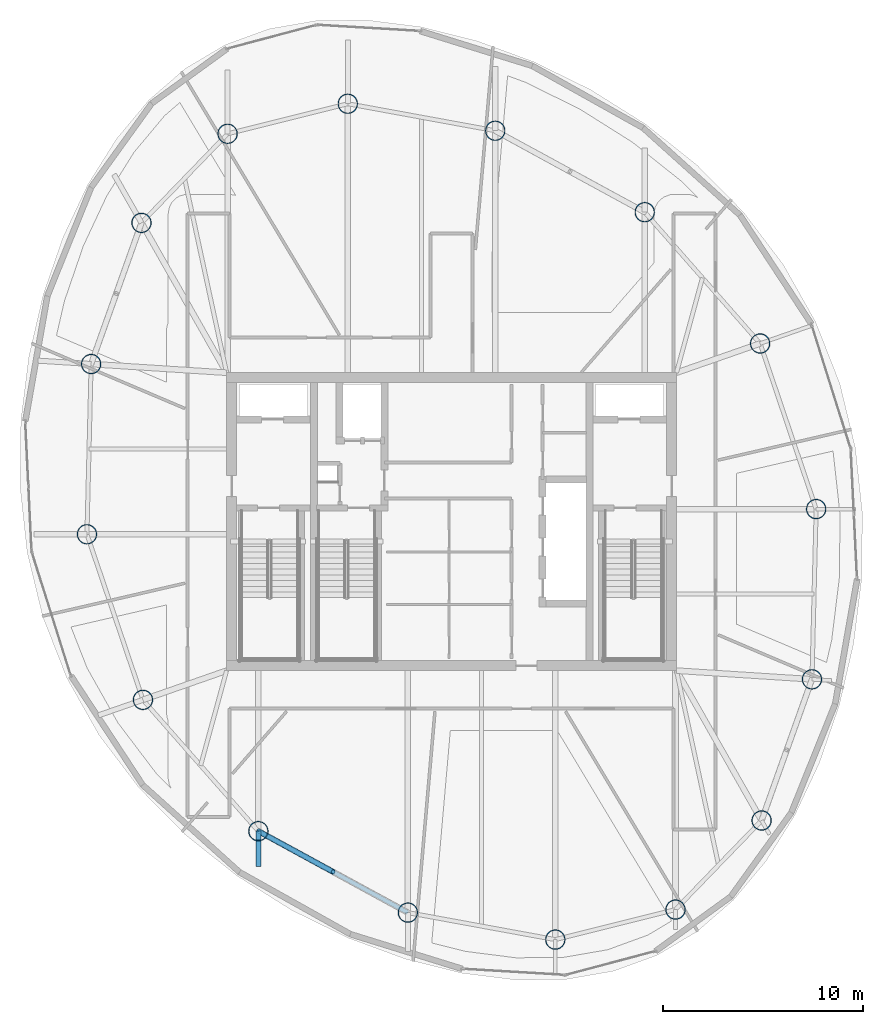
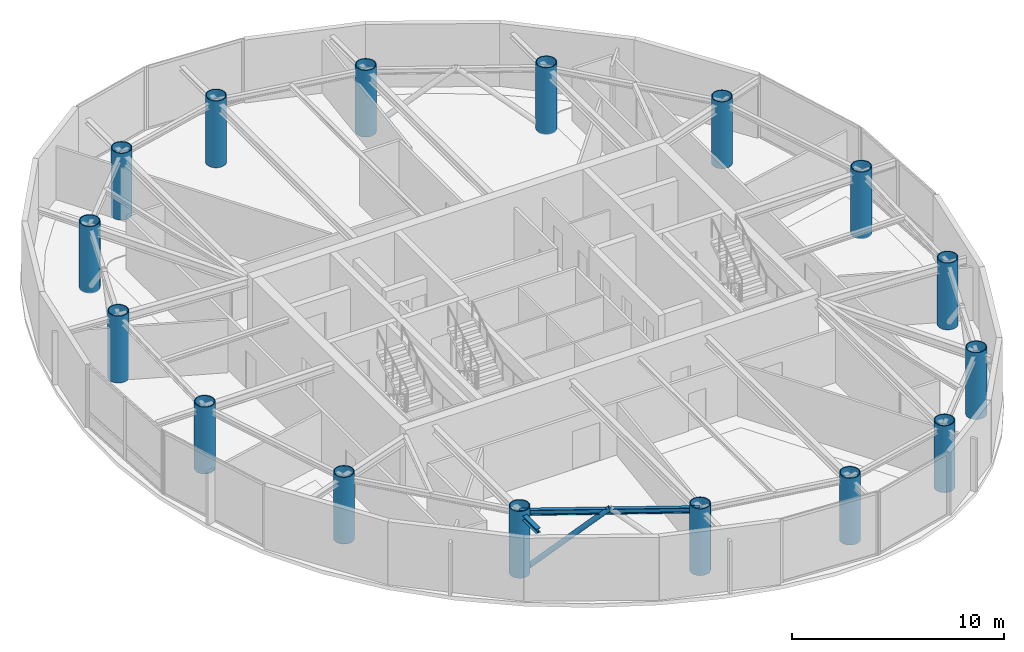
# One storey, part 1 of 19: 16 columns, 2 beams, 1 member.
"""IFC4 building model written with IfcOpenShell, lengths in metres."""

from ifc_helpers import new_model, si_unit, direction, frame, origin, origin_2d, place, context, subcontext, project, spatial, hollow_circle, i_section, extrude, material, material_profile, profile_set, type_object, element, save


model = new_model("IFC4")

# Units and contexts
model_context = context("Model", 3, precision=1e-05, world=origin(), true_north=direction((0.0, 1.0)))
body_context = subcontext(model_context, "Body", "Model", "MODEL_VIEW")
ifc_project = project(units=[si_unit("LENGTHUNIT", "METRE"), si_unit("AREAUNIT", "SQUARE_METRE"), si_unit("VOLUMEUNIT", "CUBIC_METRE"), si_unit("PLANEANGLEUNIT", "RADIAN"), si_unit("MASSUNIT", "GRAM", prefix="KILO")], contexts=[model_context])

# Site, building, storey
site_placement = place(None, origin())
site = spatial("IfcSite", under=ifc_project, at=site_placement, CompositionType="ELEMENT")
building_placement = place(site_placement, origin())
building = spatial("IfcBuilding", under=site, at=building_placement, Name="Bramvorn Convention Spire", CompositionType="ELEMENT")
storey_placement = place(building_placement, frame((0.0, 0.0, 292.10009765625)))
storey = spatial("IfcBuildingStorey", under=building, at=storey_placement, Name="L74", CompositionType="ELEMENT", Elevation=292.10009765625)

# Columns
ifc_material = material(Name="Steel CSA G40.21 Grade 350 (350W)", Category="steel")
ifc_material_profile_1 = material_profile(ifc_material, hollow_circle(Radius=0.5, WallThickness=0.044921875, at=origin_2d()))
ifc_profile_set_1 = profile_set([ifc_material_profile_1], Name="Steel CSA G40.21 Grade 350 (350W) - CFT1000X45")
column_type = type_object("IfcColumnType", Name="COL-CFT1000X45", PredefinedType="COLUMN", material=ifc_profile_set_1)
for number, where, z_axis, x_axis, name in (
    (1, (49.199951171875, 6.60107421875, 0.0), (0.0, 0.0, 1.0), (1.0, 0.0, 0.0), "L74 composite CFT mega-column MC01"),
    (2, (53.50634765625, 11.05615234375, 0.0), (0.0, 0.0, 1.0), (1.0, 0.0, 0.0), "L74 composite CFT mega-column MC02"),
    (3, (56.023681640625, 18.116455078125, 0.0), (0.0, 0.0, 1.0), (1.0, 0.0, 0.0), "L74 composite CFT mega-column MC03"),
    (4, (56.234619140625, 26.62939453125, 0.0), (0.0, 0.0, 1.0), (1.0, 0.0, 0.0), "L74 composite CFT mega-column MC04"),
    (5, (53.4326171875, 34.909912109375, 0.0), (0.0, 0.0, 1.0), (1.0, 0.0, 0.0), "L74 composite CFT mega-column MC05"),
    (6, (47.662353515625, 41.476806640625, 0.0), (0.0, 0.0, 1.0), (1.0, 0.0, 0.0), "L74 composite CFT mega-column MC06"),
    (7, (40.1845703125, 45.55078125, 0.0), (0.0, 0.0, 1.0), (1.0, 0.0, 0.0), "L74 composite CFT mega-column MC07"),
    (8, (32.8115234375, 46.90087890625, 0.0), (0.0, 0.0, 1.0), (1.0, 0.0, 0.0), "L74 composite CFT mega-column MC08"),
    (9, (26.800048828125, 45.39892578125, 0.0), (0.0, 0.0, 1.0), (1.0, 0.0, 0.0), "L74 composite CFT mega-column MC09"),
    (10, (22.49365234375, 40.94384765625, 0.0), (0.0, 0.0, 1.0), (1.0, 0.0, 0.0), "L74 composite CFT mega-column MC10"),
    (11, (19.976318359375, 33.883544921875, 0.0), (0.0, 0.0, 1.0), (1.0, 0.0, 0.0), "L74 composite CFT mega-column MC11"),
    (12, (19.765380859375, 25.37060546875, 0.0), (0.0, 0.0, 1.0), (1.0, 0.0, 0.0), "L74 composite CFT mega-column MC12"),
    (13, (22.5673828125, 17.090087890625, 0.0), (0.0, 0.0, 1.0), (1.0, 0.0, 0.0), "L74 composite CFT mega-column MC13"),
    (14, (28.337646484375, 10.523193359375, 0.0), (0.0, 0.0, 1.0), (1.0, 0.0, 0.0), "L74 composite CFT mega-column MC14"),
    (15, (35.8154296875, 6.44921875, 0.0), (0.0, 0.0, 1.0), (1.0, 0.0, 0.0), "L74 composite CFT mega-column MC15"),
    (16, (43.1884765625, 5.09912109375, 0.0), (0.0, 0.0, 1.0), (1.0, 0.0, 0.0), "L74 composite CFT mega-column MC16"),
):
    element("IfcColumn", number, at=place(storey_placement, frame(where, z_axis=z_axis, x_axis=x_axis)), inside=storey, type_object=column_type, Name=name, PredefinedType="COLUMN", context=body_context, shape_type="SweptSolid", body=[
        extrude(hollow_circle(Radius=0.5, WallThickness=0.044921875, at=origin_2d()), origin(), (0.0, 0.0, 1.0), 3.849853515625),
    ])

# Beams
ifc_material_profile_2 = material_profile(ifc_material, i_section(OverallWidth=0.25390625, OverallDepth=0.2529296875, WebThickness=0.008544921875, FlangeThickness=0.01416015625, FilletRadius=0.011962890625, at=origin_2d()))
ifc_profile_set_2 = profile_set([ifc_material_profile_2], Name="Steel CSA G40.21 Grade 350 (350W) - W250X73")
beam_type_1 = type_object("IfcBeamType", Name="BM-W250X73", PredefinedType="BEAM", material=ifc_profile_set_2)
beam_1_placement = place(storey_placement, frame((28.337646484375, 10.523193359375, 3.45849609375), z_axis=(0.0, -1.0, 0.0), x_axis=(1.0, 0.0, 0.0)))
element("IfcBeam", 17, at=beam_1_placement, inside=storey, type_object=beam_type_1, Name="L74 slab-edge cantilever tip beam MC14", PredefinedType="BEAM", context=body_context, shape_type="SweptSolid", body=[
    extrude(i_section(OverallWidth=0.25390625, OverallDepth=0.2529296875, WebThickness=0.008544921875, FlangeThickness=0.01416015625, FilletRadius=0.011962890625, at=origin_2d()), origin(), (0.0, 0.0, 1.0), 1.7685546875),
])
ifc_material_profile_3 = material_profile(ifc_material, i_section(OverallWidth=0.202880859375, OverallDepth=0.302978515625, WebThickness=0.007568359375, FlangeThickness=0.01318359375, FilletRadius=0.013916015625, at=origin_2d()))
ifc_profile_set_3 = profile_set([ifc_material_profile_3], Name="Steel CSA G40.21 Grade 350 (350W) - W310X60")
beam_type_2 = type_object("IfcBeamType", Name="BM-W310X60", PredefinedType="JOIST", material=ifc_profile_set_3)
beam_2_placement = place(storey_placement, frame((28.337646484375, 10.523193359375, 3.473388671875), z_axis=(0.878133224771, -0.478416178189, 0.0), x_axis=(0.478416178189, 0.878133224771, 0.0)))
element("IfcBeam", 18, at=beam_2_placement, inside=storey, type_object=beam_type_2, Name="L74 mega-column ring beam 14", PredefinedType="JOIST", context=body_context, shape_type="SweptSolid", body=[
    extrude(i_section(OverallWidth=0.202880859375, OverallDepth=0.302978515625, WebThickness=0.007568359375, FlangeThickness=0.01318359375, FilletRadius=0.013916015625, at=origin_2d()), origin(), (0.0, 0.0, 1.0), 8.515625),
])

# Member
ifc_material_profile_4 = material_profile(ifc_material, hollow_circle(Radius=0.136474609375, WallThickness=0.0126953125, at=origin_2d()))
ifc_profile_set_4 = profile_set([ifc_material_profile_4], Name="Steel CSA G40.21 Grade 350 (350W) - CHS273X13")
member_type = type_object("IfcMemberType", Name="MBR-CHS273X13", PredefinedType="BRACE", material=ifc_profile_set_4)
member_placement = place(storey_placement, frame((28.337646484375, 10.523193359375, 0.0), z_axis=(0.668634081548, -0.364288787231, 0.648245435379), x_axis=(0.478426241072, 0.878127742332, 0.0)))
element("IfcMember", 19, at=member_placement, inside=storey, type_object=member_type, Name="L74 perimeter Gothic lancet brace 14A", PredefinedType="BRACE", context=body_context, shape_type="SweptSolid", body=[
    extrude(hollow_circle(Radius=0.136474609375, WallThickness=0.0126953125, at=origin_2d()), origin(), (0.0, 0.0, 1.0), 5.592041015625),
])

save(model, "model.ifc")
